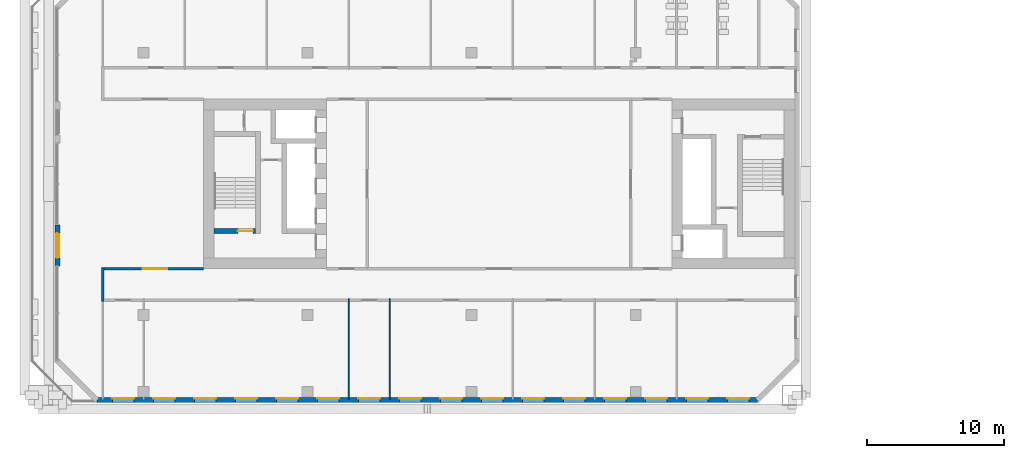
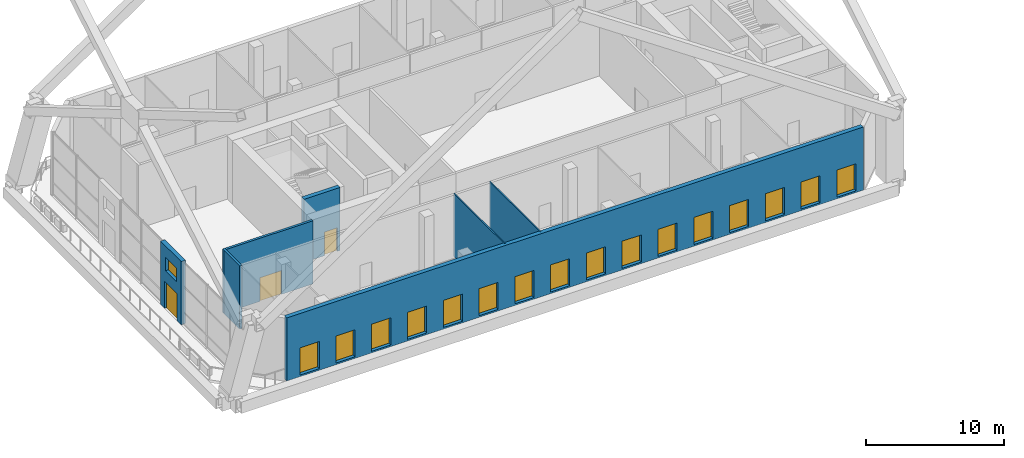
# One storey, part 9 of 20: 17 windows, 7 walls, 3 doors, 20 openings.
"""IFC4 building model written with IfcOpenShell, lengths in metres."""

from ifc_helpers import new_model, si_unit, direction, frame, frame_2d, origin, place, context, subcontext, project, spatial, rectangle, extrude, material, layer, layer_set, type_object, element, fill, save


model = new_model("IFC4")

# Units and contexts
model_context = context("Model", 3, precision=1e-05, world=origin(), true_north=direction((0.0, 1.0)))
body_context = subcontext(model_context, "Body", "Model", "MODEL_VIEW")
ifc_project = project(units=[si_unit("LENGTHUNIT", "METRE"), si_unit("AREAUNIT", "SQUARE_METRE"), si_unit("VOLUMEUNIT", "CUBIC_METRE"), si_unit("PLANEANGLEUNIT", "RADIAN"), si_unit("MASSUNIT", "GRAM", prefix="KILO")], contexts=[model_context])

# Site, building, storey
site_placement = place(None, origin())
site = spatial("IfcSite", under=ifc_project, at=site_placement, CompositionType="ELEMENT")
building_placement = place(site_placement, origin())
building = spatial("IfcBuilding", under=site, at=building_placement, Name="Tuart Gate Housing", CompositionType="ELEMENT")
storey_placement = place(building_placement, frame((0.0, 0.0, 38.10009765625)))
storey = spatial("IfcBuildingStorey", under=building, at=storey_placement, Name="L10", CompositionType="ELEMENT", Elevation=38.10009765625)

# Wall, openings, windows
ifc_material_1 = material(Name="Brick", Category="masonry")
ifc_layer_1 = layer(ifc_material_1, 0.360107421875)
ifc_layer_set_1 = layer_set([ifc_layer_1], Name="Brick pier and spandrel wall 360")
wall_type_1 = type_object("IfcWallType", Name="Brick pier and spandrel wall 360", PredefinedType="STANDARD", material=ifc_layer_set_1)
wall_1_placement = place(storey_placement, frame((24.57470703125, 54.179931640625, 0.0), z_axis=(0.0, 0.0, 1.0), x_axis=(1.0, 0.0, 0.0)))
wall_1 = element("IfcWall", 1, at=wall_1_placement, inside=storey, type_object=wall_type_1, Name="External wall A-S L10", PredefinedType="STANDARD", context=body_context, shape_type="SweptSolid", body=[
    extrude(rectangle(XDim=48.350830078125, YDim=0.360107421875, at=frame_2d((24.17529296875, 0.0))), origin(), (0.0, 0.0, 1.0), 5.599853515625),
])
opening_1_placement = place(wall_1_placement, frame((1.12548828125, 0.0, 0.14990234375)))
opening_1 = element("IfcOpeningElement", 2, at=opening_1_placement, cuts=wall_1, Name="Opening W2", PredefinedType="OPENING", context=body_context, shape_type="SweptSolid", body=[
    extrude(rectangle(XDim=1.60009765625, YDim=2.39990234375, at=frame_2d((0.800048828125, 1.199951171875))), frame((0.0, 0.18994140625, 0.0), z_axis=(0.0, -1.0, 0.0), x_axis=(1.0, 0.0, 0.0)), (0.0, 0.0, 1.0), 0.380126953125),
])
opening_2_placement = place(wall_1_placement, frame((4.12548828125, 0.0, 0.14990234375)))
opening_2 = element("IfcOpeningElement", 3, at=opening_2_placement, cuts=wall_1, Name="Opening W2", PredefinedType="OPENING", context=body_context, shape_type="SweptSolid", body=[
    extrude(rectangle(XDim=1.60009765625, YDim=2.39990234375, at=frame_2d((0.800048828125, 1.199951171875))), frame((0.0, 0.18994140625, 0.0), z_axis=(0.0, -1.0, 0.0), x_axis=(1.0, 0.0, 0.0)), (0.0, 0.0, 1.0), 0.380126953125),
])
opening_3_placement = place(wall_1_placement, frame((7.12548828125, 0.0, 0.14990234375)))
opening_3 = element("IfcOpeningElement", 4, at=opening_3_placement, cuts=wall_1, Name="Opening W2", PredefinedType="OPENING", context=body_context, shape_type="SweptSolid", body=[
    extrude(rectangle(XDim=1.60009765625, YDim=2.39990234375, at=frame_2d((0.800048828125, 1.199951171875))), frame((0.0, 0.18994140625, 0.0), z_axis=(0.0, -1.0, 0.0), x_axis=(1.0, 0.0, 0.0)), (0.0, 0.0, 1.0), 0.380126953125),
])
opening_4_placement = place(wall_1_placement, frame((10.12548828125, 0.0, 0.14990234375)))
opening_4 = element("IfcOpeningElement", 5, at=opening_4_placement, cuts=wall_1, Name="Opening W2", PredefinedType="OPENING", context=body_context, shape_type="SweptSolid", body=[
    extrude(rectangle(XDim=1.60009765625, YDim=2.39990234375, at=frame_2d((0.800048828125, 1.199951171875))), frame((0.0, 0.18994140625, 0.0), z_axis=(0.0, -1.0, 0.0), x_axis=(1.0, 0.0, 0.0)), (0.0, 0.0, 1.0), 0.380126953125),
])
opening_5_placement = place(wall_1_placement, frame((13.12548828125, 0.0, 0.14990234375)))
opening_5 = element("IfcOpeningElement", 6, at=opening_5_placement, cuts=wall_1, Name="Opening W2", PredefinedType="OPENING", context=body_context, shape_type="SweptSolid", body=[
    extrude(rectangle(XDim=1.60009765625, YDim=2.39990234375, at=frame_2d((0.800048828125, 1.199951171875))), frame((0.0, 0.18994140625, 0.0), z_axis=(0.0, -1.0, 0.0), x_axis=(1.0, 0.0, 0.0)), (0.0, 0.0, 1.0), 0.380126953125),
])
opening_6_placement = place(wall_1_placement, frame((16.12548828125, 0.0, 0.14990234375)))
opening_6 = element("IfcOpeningElement", 7, at=opening_6_placement, cuts=wall_1, Name="Opening W2", PredefinedType="OPENING", context=body_context, shape_type="SweptSolid", body=[
    extrude(rectangle(XDim=1.60009765625, YDim=2.39990234375, at=frame_2d((0.800048828125, 1.199951171875))), frame((0.0, 0.18994140625, 0.0), z_axis=(0.0, -1.0, 0.0), x_axis=(1.0, 0.0, 0.0)), (0.0, 0.0, 1.0), 0.380126953125),
])
opening_7_placement = place(wall_1_placement, frame((19.12548828125, 0.0, 0.14990234375)))
opening_7 = element("IfcOpeningElement", 8, at=opening_7_placement, cuts=wall_1, Name="Opening W2", PredefinedType="OPENING", context=body_context, shape_type="SweptSolid", body=[
    extrude(rectangle(XDim=1.60009765625, YDim=2.39990234375, at=frame_2d((0.800048828125, 1.199951171875))), frame((0.0, 0.18994140625, 0.0), z_axis=(0.0, -1.0, 0.0), x_axis=(1.0, 0.0, 0.0)), (0.0, 0.0, 1.0), 0.380126953125),
])
opening_8_placement = place(wall_1_placement, frame((22.12548828125, 0.0, 0.14990234375)))
opening_8 = element("IfcOpeningElement", 9, at=opening_8_placement, cuts=wall_1, Name="Opening W2", PredefinedType="OPENING", context=body_context, shape_type="SweptSolid", body=[
    extrude(rectangle(XDim=1.60009765625, YDim=2.39990234375, at=frame_2d((0.800048828125, 1.199951171875))), frame((0.0, 0.18994140625, 0.0), z_axis=(0.0, -1.0, 0.0), x_axis=(1.0, 0.0, 0.0)), (0.0, 0.0, 1.0), 0.380126953125),
])
opening_9_placement = place(wall_1_placement, frame((25.12548828125, 0.0, 0.14990234375)))
opening_9 = element("IfcOpeningElement", 10, at=opening_9_placement, cuts=wall_1, Name="Opening W2", PredefinedType="OPENING", context=body_context, shape_type="SweptSolid", body=[
    extrude(rectangle(XDim=1.60009765625, YDim=2.39990234375, at=frame_2d((0.800048828125, 1.199951171875))), frame((0.0, 0.18994140625, 0.0), z_axis=(0.0, -1.0, 0.0), x_axis=(1.0, 0.0, 0.0)), (0.0, 0.0, 1.0), 0.380126953125),
])
opening_10_placement = place(wall_1_placement, frame((28.12548828125, 0.0, 0.14990234375)))
opening_10 = element("IfcOpeningElement", 11, at=opening_10_placement, cuts=wall_1, Name="Opening W2", PredefinedType="OPENING", context=body_context, shape_type="SweptSolid", body=[
    extrude(rectangle(XDim=1.60009765625, YDim=2.39990234375, at=frame_2d((0.800048828125, 1.199951171875))), frame((0.0, 0.18994140625, 0.0), z_axis=(0.0, -1.0, 0.0), x_axis=(1.0, 0.0, 0.0)), (0.0, 0.0, 1.0), 0.380126953125),
])
opening_11_placement = place(wall_1_placement, frame((31.12548828125, 0.0, 0.14990234375)))
opening_11 = element("IfcOpeningElement", 12, at=opening_11_placement, cuts=wall_1, Name="Opening W2", PredefinedType="OPENING", context=body_context, shape_type="SweptSolid", body=[
    extrude(rectangle(XDim=1.60009765625, YDim=2.39990234375, at=frame_2d((0.800048828125, 1.199951171875))), frame((0.0, 0.18994140625, 0.0), z_axis=(0.0, -1.0, 0.0), x_axis=(1.0, 0.0, 0.0)), (0.0, 0.0, 1.0), 0.380126953125),
])
opening_12_placement = place(wall_1_placement, frame((34.12548828125, 0.0, 0.14990234375)))
opening_12 = element("IfcOpeningElement", 13, at=opening_12_placement, cuts=wall_1, Name="Opening W2", PredefinedType="OPENING", context=body_context, shape_type="SweptSolid", body=[
    extrude(rectangle(XDim=1.60009765625, YDim=2.39990234375, at=frame_2d((0.800048828125, 1.199951171875))), frame((0.0, 0.18994140625, 0.0), z_axis=(0.0, -1.0, 0.0), x_axis=(1.0, 0.0, 0.0)), (0.0, 0.0, 1.0), 0.380126953125),
])
opening_13_placement = place(wall_1_placement, frame((37.12548828125, 0.0, 0.14990234375)))
opening_13 = element("IfcOpeningElement", 14, at=opening_13_placement, cuts=wall_1, Name="Opening W2", PredefinedType="OPENING", context=body_context, shape_type="SweptSolid", body=[
    extrude(rectangle(XDim=1.60009765625, YDim=2.39990234375, at=frame_2d((0.800048828125, 1.199951171875))), frame((0.0, 0.18994140625, 0.0), z_axis=(0.0, -1.0, 0.0), x_axis=(1.0, 0.0, 0.0)), (0.0, 0.0, 1.0), 0.380126953125),
])
opening_14_placement = place(wall_1_placement, frame((40.12548828125, 0.0, 0.14990234375)))
opening_14 = element("IfcOpeningElement", 15, at=opening_14_placement, cuts=wall_1, Name="Opening W2", PredefinedType="OPENING", context=body_context, shape_type="SweptSolid", body=[
    extrude(rectangle(XDim=1.60009765625, YDim=2.39990234375, at=frame_2d((0.800048828125, 1.199951171875))), frame((0.0, 0.18994140625, 0.0), z_axis=(0.0, -1.0, 0.0), x_axis=(1.0, 0.0, 0.0)), (0.0, 0.0, 1.0), 0.380126953125),
])
opening_15_placement = place(wall_1_placement, frame((43.12548828125, 0.0, 0.14990234375)))
opening_15 = element("IfcOpeningElement", 16, at=opening_15_placement, cuts=wall_1, Name="Opening W2", PredefinedType="OPENING", context=body_context, shape_type="SweptSolid", body=[
    extrude(rectangle(XDim=1.60009765625, YDim=2.39990234375, at=frame_2d((0.800048828125, 1.199951171875))), frame((0.0, 0.18994140625, 0.0), z_axis=(0.0, -1.0, 0.0), x_axis=(1.0, 0.0, 0.0)), (0.0, 0.0, 1.0), 0.380126953125),
])
opening_16_placement = place(wall_1_placement, frame((46.12548828125, 0.0, 0.14990234375)))
opening_16 = element("IfcOpeningElement", 17, at=opening_16_placement, cuts=wall_1, Name="Opening W2", PredefinedType="OPENING", context=body_context, shape_type="SweptSolid", body=[
    extrude(rectangle(XDim=1.60009765625, YDim=2.39990234375, at=frame_2d((0.800048828125, 1.199951171875))), frame((0.0, 0.18994140625, 0.0), z_axis=(0.0, -1.0, 0.0), x_axis=(1.0, 0.0, 0.0)), (0.0, 0.0, 1.0), 0.380126953125),
])
ifc_material_2 = material(Name="Aluminium frame with clear glass", Category="aluminium")
window_type_1 = type_object("IfcWindowType", Name="Garden lounge window 1600 x 2400", PartitioningType="SINGLE_PANEL", PredefinedType="WINDOW", material=ifc_material_2)
window_1_placement = place(opening_1_placement, origin())
window_1 = element("IfcWindow", 18, at=window_1_placement, inside=storey, type_object=window_type_1, Name="Window W2", OverallHeight=2.39990234375, OverallWidth=1.60009765625, PartitioningType="SINGLE_PANEL", PredefinedType="WINDOW", context=body_context, shape_type="SweptSolid", body=[
    extrude(rectangle(XDim=1.60009765625, YDim=2.39990234375, at=frame_2d((0.800048828125, 1.199951171875))), frame((0.0, 0.150146484375, 0.0), z_axis=(0.0, -1.0, 0.0), x_axis=(1.0, 0.0, 0.0)), (0.0, 0.0, 1.0), 0.06005859375),
])
fill(opening_1, window_1)
window_2_placement = place(opening_2_placement, origin())
window_2 = element("IfcWindow", 19, at=window_2_placement, inside=storey, type_object=window_type_1, Name="Window W2", OverallHeight=2.39990234375, OverallWidth=1.60009765625, PartitioningType="SINGLE_PANEL", PredefinedType="WINDOW", context=body_context, shape_type="SweptSolid", body=[
    extrude(rectangle(XDim=1.60009765625, YDim=2.39990234375, at=frame_2d((0.800048828125, 1.199951171875))), frame((0.0, 0.150146484375, 0.0), z_axis=(0.0, -1.0, 0.0), x_axis=(1.0, 0.0, 0.0)), (0.0, 0.0, 1.0), 0.06005859375),
])
fill(opening_2, window_2)
window_3_placement = place(opening_3_placement, origin())
window_3 = element("IfcWindow", 20, at=window_3_placement, inside=storey, type_object=window_type_1, Name="Window W2", OverallHeight=2.39990234375, OverallWidth=1.60009765625, PartitioningType="SINGLE_PANEL", PredefinedType="WINDOW", context=body_context, shape_type="SweptSolid", body=[
    extrude(rectangle(XDim=1.60009765625, YDim=2.39990234375, at=frame_2d((0.800048828125, 1.199951171875))), frame((0.0, 0.150146484375, 0.0), z_axis=(0.0, -1.0, 0.0), x_axis=(1.0, 0.0, 0.0)), (0.0, 0.0, 1.0), 0.06005859375),
])
fill(opening_3, window_3)
window_4_placement = place(opening_4_placement, origin())
window_4 = element("IfcWindow", 21, at=window_4_placement, inside=storey, type_object=window_type_1, Name="Window W2", OverallHeight=2.39990234375, OverallWidth=1.60009765625, PartitioningType="SINGLE_PANEL", PredefinedType="WINDOW", context=body_context, shape_type="SweptSolid", body=[
    extrude(rectangle(XDim=1.60009765625, YDim=2.39990234375, at=frame_2d((0.800048828125, 1.199951171875))), frame((0.0, 0.150146484375, 0.0), z_axis=(0.0, -1.0, 0.0), x_axis=(1.0, 0.0, 0.0)), (0.0, 0.0, 1.0), 0.06005859375),
])
fill(opening_4, window_4)
window_5_placement = place(opening_5_placement, origin())
window_5 = element("IfcWindow", 22, at=window_5_placement, inside=storey, type_object=window_type_1, Name="Window W2", OverallHeight=2.39990234375, OverallWidth=1.60009765625, PartitioningType="SINGLE_PANEL", PredefinedType="WINDOW", context=body_context, shape_type="SweptSolid", body=[
    extrude(rectangle(XDim=1.60009765625, YDim=2.39990234375, at=frame_2d((0.800048828125, 1.199951171875))), frame((0.0, 0.150146484375, 0.0), z_axis=(0.0, -1.0, 0.0), x_axis=(1.0, 0.0, 0.0)), (0.0, 0.0, 1.0), 0.06005859375),
])
fill(opening_5, window_5)
window_6_placement = place(opening_6_placement, origin())
window_6 = element("IfcWindow", 23, at=window_6_placement, inside=storey, type_object=window_type_1, Name="Window W2", OverallHeight=2.39990234375, OverallWidth=1.60009765625, PartitioningType="SINGLE_PANEL", PredefinedType="WINDOW", context=body_context, shape_type="SweptSolid", body=[
    extrude(rectangle(XDim=1.60009765625, YDim=2.39990234375, at=frame_2d((0.800048828125, 1.199951171875))), frame((0.0, 0.150146484375, 0.0), z_axis=(0.0, -1.0, 0.0), x_axis=(1.0, 0.0, 0.0)), (0.0, 0.0, 1.0), 0.06005859375),
])
fill(opening_6, window_6)
window_7_placement = place(opening_7_placement, origin())
window_7 = element("IfcWindow", 24, at=window_7_placement, inside=storey, type_object=window_type_1, Name="Window W2", OverallHeight=2.39990234375, OverallWidth=1.60009765625, PartitioningType="SINGLE_PANEL", PredefinedType="WINDOW", context=body_context, shape_type="SweptSolid", body=[
    extrude(rectangle(XDim=1.60009765625, YDim=2.39990234375, at=frame_2d((0.800048828125, 1.199951171875))), frame((0.0, 0.150146484375, 0.0), z_axis=(0.0, -1.0, 0.0), x_axis=(1.0, 0.0, 0.0)), (0.0, 0.0, 1.0), 0.06005859375),
])
fill(opening_7, window_7)
window_8_placement = place(opening_8_placement, origin())
window_8 = element("IfcWindow", 25, at=window_8_placement, inside=storey, type_object=window_type_1, Name="Window W2", OverallHeight=2.39990234375, OverallWidth=1.60009765625, PartitioningType="SINGLE_PANEL", PredefinedType="WINDOW", context=body_context, shape_type="SweptSolid", body=[
    extrude(rectangle(XDim=1.60009765625, YDim=2.39990234375, at=frame_2d((0.800048828125, 1.199951171875))), frame((0.0, 0.150146484375, 0.0), z_axis=(0.0, -1.0, 0.0), x_axis=(1.0, 0.0, 0.0)), (0.0, 0.0, 1.0), 0.06005859375),
])
fill(opening_8, window_8)
window_9_placement = place(opening_9_placement, origin())
window_9 = element("IfcWindow", 26, at=window_9_placement, inside=storey, type_object=window_type_1, Name="Window W2", OverallHeight=2.39990234375, OverallWidth=1.60009765625, PartitioningType="SINGLE_PANEL", PredefinedType="WINDOW", context=body_context, shape_type="SweptSolid", body=[
    extrude(rectangle(XDim=1.60009765625, YDim=2.39990234375, at=frame_2d((0.800048828125, 1.199951171875))), frame((0.0, 0.150146484375, 0.0), z_axis=(0.0, -1.0, 0.0), x_axis=(1.0, 0.0, 0.0)), (0.0, 0.0, 1.0), 0.06005859375),
])
fill(opening_9, window_9)
window_10_placement = place(opening_10_placement, origin())
window_10 = element("IfcWindow", 27, at=window_10_placement, inside=storey, type_object=window_type_1, Name="Window W2", OverallHeight=2.39990234375, OverallWidth=1.60009765625, PartitioningType="SINGLE_PANEL", PredefinedType="WINDOW", context=body_context, shape_type="SweptSolid", body=[
    extrude(rectangle(XDim=1.60009765625, YDim=2.39990234375, at=frame_2d((0.800048828125, 1.199951171875))), frame((0.0, 0.150146484375, 0.0), z_axis=(0.0, -1.0, 0.0), x_axis=(1.0, 0.0, 0.0)), (0.0, 0.0, 1.0), 0.06005859375),
])
fill(opening_10, window_10)
window_11_placement = place(opening_11_placement, origin())
window_11 = element("IfcWindow", 28, at=window_11_placement, inside=storey, type_object=window_type_1, Name="Window W2", OverallHeight=2.39990234375, OverallWidth=1.60009765625, PartitioningType="SINGLE_PANEL", PredefinedType="WINDOW", context=body_context, shape_type="SweptSolid", body=[
    extrude(rectangle(XDim=1.60009765625, YDim=2.39990234375, at=frame_2d((0.800048828125, 1.199951171875))), frame((0.0, 0.150146484375, 0.0), z_axis=(0.0, -1.0, 0.0), x_axis=(1.0, 0.0, 0.0)), (0.0, 0.0, 1.0), 0.06005859375),
])
fill(opening_11, window_11)
window_12_placement = place(opening_12_placement, origin())
window_12 = element("IfcWindow", 29, at=window_12_placement, inside=storey, type_object=window_type_1, Name="Window W2", OverallHeight=2.39990234375, OverallWidth=1.60009765625, PartitioningType="SINGLE_PANEL", PredefinedType="WINDOW", context=body_context, shape_type="SweptSolid", body=[
    extrude(rectangle(XDim=1.60009765625, YDim=2.39990234375, at=frame_2d((0.800048828125, 1.199951171875))), frame((0.0, 0.150146484375, 0.0), z_axis=(0.0, -1.0, 0.0), x_axis=(1.0, 0.0, 0.0)), (0.0, 0.0, 1.0), 0.06005859375),
])
fill(opening_12, window_12)
window_13_placement = place(opening_13_placement, origin())
window_13 = element("IfcWindow", 30, at=window_13_placement, inside=storey, type_object=window_type_1, Name="Window W2", OverallHeight=2.39990234375, OverallWidth=1.60009765625, PartitioningType="SINGLE_PANEL", PredefinedType="WINDOW", context=body_context, shape_type="SweptSolid", body=[
    extrude(rectangle(XDim=1.60009765625, YDim=2.39990234375, at=frame_2d((0.800048828125, 1.199951171875))), frame((0.0, 0.150146484375, 0.0), z_axis=(0.0, -1.0, 0.0), x_axis=(1.0, 0.0, 0.0)), (0.0, 0.0, 1.0), 0.06005859375),
])
fill(opening_13, window_13)
window_14_placement = place(opening_14_placement, origin())
window_14 = element("IfcWindow", 31, at=window_14_placement, inside=storey, type_object=window_type_1, Name="Window W2", OverallHeight=2.39990234375, OverallWidth=1.60009765625, PartitioningType="SINGLE_PANEL", PredefinedType="WINDOW", context=body_context, shape_type="SweptSolid", body=[
    extrude(rectangle(XDim=1.60009765625, YDim=2.39990234375, at=frame_2d((0.800048828125, 1.199951171875))), frame((0.0, 0.150146484375, 0.0), z_axis=(0.0, -1.0, 0.0), x_axis=(1.0, 0.0, 0.0)), (0.0, 0.0, 1.0), 0.06005859375),
])
fill(opening_14, window_14)
window_15_placement = place(opening_15_placement, origin())
window_15 = element("IfcWindow", 32, at=window_15_placement, inside=storey, type_object=window_type_1, Name="Window W2", OverallHeight=2.39990234375, OverallWidth=1.60009765625, PartitioningType="SINGLE_PANEL", PredefinedType="WINDOW", context=body_context, shape_type="SweptSolid", body=[
    extrude(rectangle(XDim=1.60009765625, YDim=2.39990234375, at=frame_2d((0.800048828125, 1.199951171875))), frame((0.0, 0.150146484375, 0.0), z_axis=(0.0, -1.0, 0.0), x_axis=(1.0, 0.0, 0.0)), (0.0, 0.0, 1.0), 0.06005859375),
])
fill(opening_15, window_15)
window_16_placement = place(opening_16_placement, origin())
window_16 = element("IfcWindow", 33, at=window_16_placement, inside=storey, type_object=window_type_1, Name="Window W2", OverallHeight=2.39990234375, OverallWidth=1.60009765625, PartitioningType="SINGLE_PANEL", PredefinedType="WINDOW", context=body_context, shape_type="SweptSolid", body=[
    extrude(rectangle(XDim=1.60009765625, YDim=2.39990234375, at=frame_2d((0.800048828125, 1.199951171875))), frame((0.0, 0.150146484375, 0.0), z_axis=(0.0, -1.0, 0.0), x_axis=(1.0, 0.0, 0.0)), (0.0, 0.0, 1.0), 0.06005859375),
])
fill(opening_16, window_16)

# Wall, openings, door, window
wall_2_placement = place(storey_placement, frame((21.679931640625, 67.0, 0.0), z_axis=(0.0, 0.0, 1.0), x_axis=(0.0, -1.0, 0.0)))
wall_2 = element("IfcWall", 34, at=wall_2_placement, inside=storey, type_object=wall_type_1, Name="External wall A-W L10", PredefinedType="STANDARD", context=body_context, shape_type="SweptSolid", body=[
    extrude(rectangle(XDim=3.0, YDim=0.360107421875, at=frame_2d((1.5, 0.0))), origin(), (0.0, 0.0, 1.0), 5.599853515625),
])
opening_17_placement = place(wall_2_placement, frame((0.699951171875, 0.0, 3.39990234375)))
opening_17 = element("IfcOpeningElement", 35, at=opening_17_placement, cuts=wall_2, Name="Opening W3", PredefinedType="OPENING", context=body_context, shape_type="SweptSolid", body=[
    extrude(rectangle(XDim=1.60009765625, YDim=1.199951171875, at=frame_2d((0.800048828125, 0.60009765625))), frame((0.0, 0.18994140625, 0.0), z_axis=(0.0, -1.0, 0.0), x_axis=(1.0, 0.0, 0.0)), (0.0, 0.0, 1.0), 0.380126953125),
])
opening_18_placement = place(wall_2_placement, frame((0.60009765625, 0.0, 0.0)))
opening_18 = element("IfcOpeningElement", 36, at=opening_18_placement, cuts=wall_2, Name="Opening D2807", PredefinedType="OPENING", context=body_context, shape_type="SweptSolid", body=[
    extrude(rectangle(XDim=1.800048828125, YDim=2.39990234375, at=frame_2d((0.89990234375, 1.199951171875))), frame((0.0, 0.18994140625, 0.0), z_axis=(0.0, -1.0, 0.0), x_axis=(1.0, 0.0, 0.0)), (0.0, 0.0, 1.0), 0.380126953125),
])
ifc_material_3 = material(Name="Aluminium framed glazed door", Category="aluminium")
door_type_1 = type_object("IfcDoorType", Name="Entrance door 1800 x 2400", OperationType="DOUBLE_DOOR_SINGLE_SWING", PredefinedType="DOOR", material=ifc_material_3)
door_1_placement = place(opening_18_placement, frame((1.800048828125, 0.0, 0.0), z_axis=(0.0, 0.0, 1.0), x_axis=(-1.0, 0.0, 0.0)))
door_1 = element("IfcDoor", 37, at=door_1_placement, inside=storey, type_object=door_type_1, Name="Leg A terrace door L10 2", OperationType="DOUBLE_DOOR_SINGLE_SWING", OverallHeight=2.39990234375, OverallWidth=1.800048828125, PredefinedType="DOOR", context=body_context, shape_type="SweptSolid", body=[
    extrude(rectangle(XDim=1.800048828125, YDim=2.39990234375, at=frame_2d((0.900146484375, 1.199951171875))), frame((0.0, 0.025146484375, 0.0), z_axis=(0.0, -1.0, 0.0), x_axis=(1.0, 0.0, 0.0)), (0.0, 0.0, 1.0), 0.050048828125),
])
fill(opening_18, door_1)
ifc_material_4 = material(Name="Aluminium louvre blades", Category="aluminium")
window_type_2 = type_object("IfcWindowType", Name="Louvre window 1600 x 1200", PartitioningType="DOUBLE_PANEL_HORIZONTAL", PredefinedType="WINDOW", material=ifc_material_4)
window_17_placement = place(opening_17_placement, origin())
window_17 = element("IfcWindow", 38, at=window_17_placement, inside=storey, type_object=window_type_2, Name="Louvre W3", OverallHeight=1.199951171875, OverallWidth=1.60009765625, PartitioningType="DOUBLE_PANEL_HORIZONTAL", PredefinedType="WINDOW", context=body_context, shape_type="SweptSolid", body=[
    extrude(rectangle(XDim=1.60009765625, YDim=1.199951171875, at=frame_2d((0.800048828125, 0.60009765625))), frame((0.0, 0.150146484375, 0.0), z_axis=(0.0, -1.0, 0.0), x_axis=(1.0, 0.0, 0.0)), (0.0, 0.0, 1.0), 0.06005859375),
])
fill(opening_17, window_17)

# Wall, opening, door
ifc_material_5 = material(Name="Concrete C60", Category="concrete")
ifc_layer_2 = layer(ifc_material_5, 0.35009765625)
ifc_layer_set_2 = layer_set([ifc_layer_2], Name="Core wall 350 C60")
wall_type_2 = type_object("IfcWallType", Name="Core wall 350 C60", PredefinedType="SHEAR", material=ifc_layer_set_2)
wall_3_placement = place(storey_placement, frame((36.18505859375, 66.550048828125, 0.0), z_axis=(0.0, 0.0, 1.0), x_axis=(-1.0, 0.0, 0.0)))
wall_3 = element("IfcWall", 39, at=wall_3_placement, inside=storey, type_object=wall_type_2, Name="Core wall AK.5", PredefinedType="SHEAR", context=body_context, shape_type="SweptSolid", body=[
    extrude(rectangle(XDim=3.025146484375, YDim=0.35009765625, at=frame_2d((1.5126953125, 0.0))), origin(), (0.0, 0.0, 1.0), 5.599853515625),
])
opening_19_placement = place(wall_3_placement, frame((0.195068359375, 0.0, 0.0)))
opening_19 = element("IfcOpeningElement", 40, at=opening_19_placement, cuts=wall_3, Name="Opening D2806", PredefinedType="OPENING", context=body_context, shape_type="SweptSolid", body=[
    extrude(rectangle(XDim=1.10009765625, YDim=2.10009765625, at=frame_2d((0.550048828125, 1.050048828125))), frame((0.0, 0.18505859375, 0.0), z_axis=(0.0, -1.0, 0.0), x_axis=(1.0, 0.0, 0.0)), (0.0, 0.0, 1.0), 0.3701171875),
])
ifc_material_6 = material(Name="Steel fire door", Category="steel")
door_type_2 = type_object("IfcDoorType", Name="Stair door 1100 x 2100 RH", OperationType="SINGLE_SWING_RIGHT", PredefinedType="DOOR", material=ifc_material_6)
door_2_placement = place(opening_19_placement, frame((1.10009765625, 0.0, 0.0), z_axis=(0.0, 0.0, 1.0), x_axis=(-1.0, 0.0, 0.0)))
door_2 = element("IfcDoor", 41, at=door_2_placement, inside=storey, type_object=door_type_2, Name="Stair door AK.SD", OperationType="SINGLE_SWING_RIGHT", OverallHeight=2.10009765625, OverallWidth=1.10009765625, PredefinedType="DOOR", context=body_context, shape_type="SweptSolid", body=[
    extrude(rectangle(XDim=1.10009765625, YDim=2.10009765625, at=frame_2d((0.550048828125, 1.050048828125))), frame((0.0, 0.025146484375, 0.0), z_axis=(0.0, -1.0, 0.0), x_axis=(1.0, 0.0, 0.0)), (0.0, 0.0, 1.0), 0.050048828125),
])
fill(opening_19, door_2)

ifc_material_7 = material(Name="Concrete masonry 15 MPa", Category="masonry")
ifc_layer_3 = layer(ifc_material_7, 0.199951171875)
ifc_layer_set_3 = layer_set([ifc_layer_3], Name="Corridor wall masonry 200")
wall_type_3 = type_object("IfcWallType", Name="Corridor wall masonry 200", PredefinedType="PARTITIONING", material=ifc_layer_set_3)
wall_4_placement = place(storey_placement, frame((24.89990234375, 63.800048828125, 0.0), z_axis=(0.0, 0.0, 1.0), x_axis=(1.0, 0.0, 0.0)))
wall_4 = element("IfcWall", 42, at=wall_4_placement, inside=storey, type_object=wall_type_3, Name="Corridor wall masonry 200", PredefinedType="PARTITIONING", context=body_context, shape_type="SweptSolid", body=[
    extrude(rectangle(XDim=7.460205078125, YDim=0.199951171875, at=frame_2d((3.72998046875, 0.0))), origin(), (0.0, 0.0, 1.0), 5.599853515625),
])
opening_20_placement = place(wall_4_placement, frame((3.030029296875, 0.0, 0.0)))
opening_20 = element("IfcOpeningElement", 43, at=opening_20_placement, cuts=wall_4, Name="Opening D2808", PredefinedType="OPENING", context=body_context, shape_type="SweptSolid", body=[
    extrude(rectangle(XDim=1.800048828125, YDim=2.10009765625, at=frame_2d((0.89990234375, 1.050048828125))), frame((0.0, 0.10986328125, 0.0), z_axis=(0.0, -1.0, 0.0), x_axis=(1.0, 0.0, 0.0)), (0.0, 0.0, 1.0), 0.219970703125),
])
ifc_material_8 = material(Name="Timber door leaf in steel frame", Category="steel")
door_type_3 = type_object("IfcDoorType", Name="Double door 1800", OperationType="DOUBLE_DOOR_SINGLE_SWING", PredefinedType="DOOR", material=ifc_material_8)
door_3_placement = place(opening_20_placement, origin())
door_3 = element("IfcDoor", 44, at=door_3_placement, inside=storey, type_object=door_type_3, Name="Double door 1800", OperationType="DOUBLE_DOOR_SINGLE_SWING", OverallHeight=2.10009765625, OverallWidth=1.800048828125, PredefinedType="DOOR", context=body_context, shape_type="SweptSolid", body=[
    extrude(rectangle(XDim=1.800048828125, YDim=2.10009765625, at=frame_2d((0.89990234375, 1.050048828125))), frame((0.0, 0.02490234375, 0.0), z_axis=(0.0, -1.0, 0.0), x_axis=(1.0, 0.0, 0.0)), (0.0, 0.0, 1.0), 0.050048828125),
])
fill(opening_20, door_3)

# Walls
wall_5_placement = place(storey_placement, frame((25.0, 61.39794921875, 0.0), z_axis=(0.0, 0.0, 1.0), x_axis=(0.0, 1.0, 0.0)))
element("IfcWall", 45, at=wall_5_placement, inside=storey, type_object=wall_type_3, Name="Corridor wall masonry 200", PredefinedType="PARTITIONING", context=body_context, shape_type="SweptSolid", body=[
    extrude(rectangle(XDim=2.501953125, YDim=0.199951171875, at=frame_2d((1.2509765625, 0.0))), origin(), (0.0, 0.0, 1.0), 5.599853515625),
])
ifc_material_9 = material(Name="Gypsum board on steel studs", Category="steel")
ifc_layer_4 = layer(ifc_material_9, 0.10009765625)
ifc_layer_set_4 = layer_set([ifc_layer_4], Name="Partition 100")
wall_type_4 = type_object("IfcWallType", Name="Partition 100", PredefinedType="PARTITIONING", material=ifc_layer_set_4)
for number, where, z_axis, x_axis, name in (
    (46, (43.0, 54.239990234375, 0.0), (0.0, 0.0, 1.0), (0.0, 1.0, 0.0), "Partition 100"),
    (47, (46.0, 54.239990234375, 0.0), (0.0, 0.0, 1.0), (0.0, 1.0, 0.0), "Partition 100"),
):
    element("IfcWall", number, at=place(storey_placement, frame(where, z_axis=z_axis, x_axis=x_axis)), inside=storey, type_object=wall_type_4, Name=name, PredefinedType="PARTITIONING", context=body_context, shape_type="SweptSolid", body=[
        extrude(rectangle(XDim=7.360107421875, YDim=0.10009765625, at=frame_2d((3.68017578125, 0.0))), origin(), (0.0, 0.0, 1.0), 5.599853515625),
    ])

save(model, "model.ifc")
